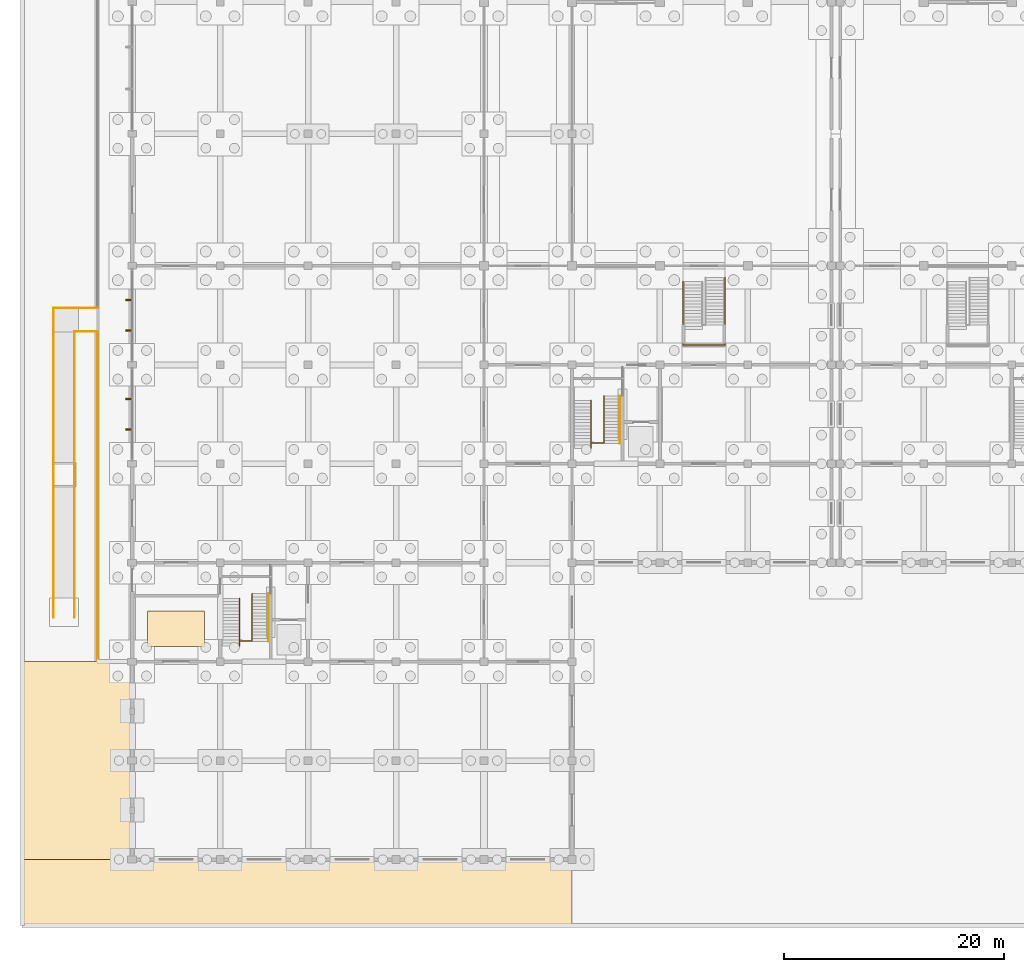
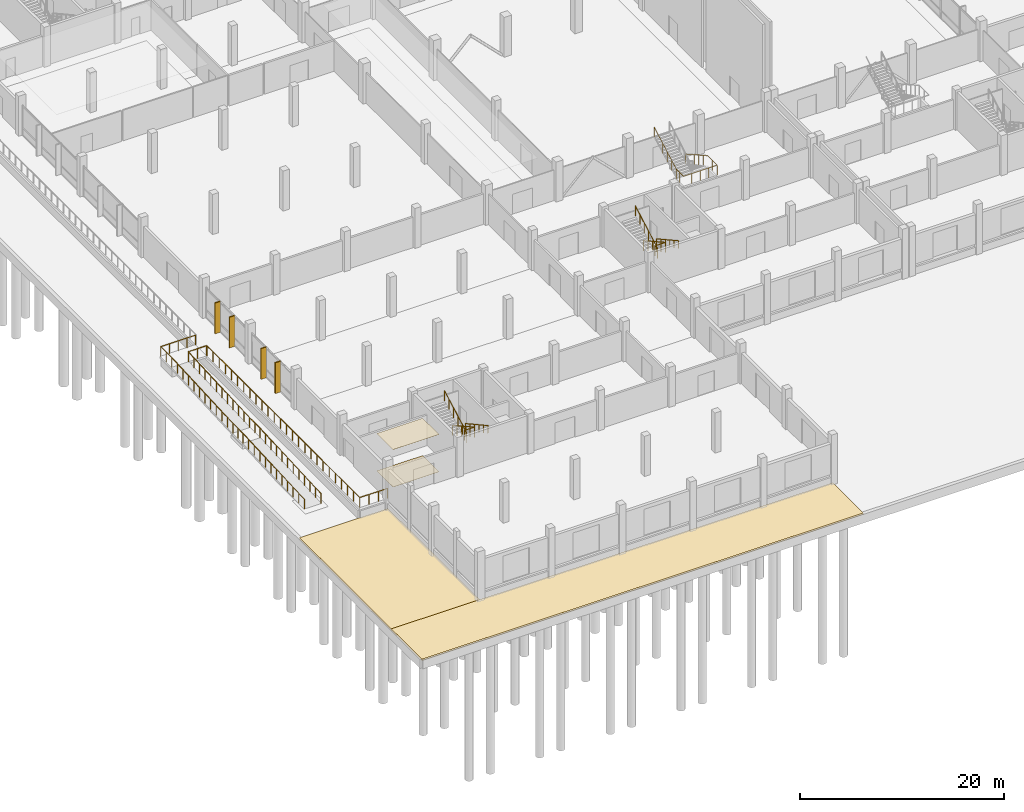
# One storey, part 61 of 72: 9 railings, 4 coverings, 4 shading devices.
"""IFC4 building model written with IfcOpenShell, lengths in metres."""

import ifcopenshell
import ifcopenshell.guid

model = None  # the IFC model being written
_history = None  # IfcOwnerHistory: only IFC2X3 demands one
_inside = {}  # id of a spatial element -> (the spatial element, [elements in it])
_under = {}  # id of a project, library or spatial element -> (it, [spatial elements below it])
_declared = {}  # id of a project -> (the project, [libraries it declares])
_typed = {}  # id of a type object -> (the type object, [elements of that type])
_made_of = {}  # id of a material, layer set ... -> (it, [elements and type objects made of it])


def new_model(schema):
    """Start an empty IFC model of exactly this schema.

    Asked for "IFC4X3", IfcOpenShell would pick the latest addendum, in which some entities
    have other attributes; the version numbers below select the first issue.
    IFC2X3 requires an IfcOwnerHistory on every rooted entity: one is made here for all.
    """
    global model, _history
    if schema == "IFC4X3":
        model = ifcopenshell.file(schema_version=(4, 3, 0, 0))
    else:
        model = ifcopenshell.file(schema=schema)
    _inside.clear()
    _under.clear()
    _declared.clear()
    _typed.clear()
    _made_of.clear()
    _history = None
    if model.schema == "IFC2X3":
        org = make("IfcOrganization", Name="unknown")
        user = make(
            "IfcPersonAndOrganization",
            ThePerson=make("IfcPerson", FamilyName="unknown"),
            TheOrganization=org,
        )
        app = make(
            "IfcApplication",
            ApplicationDeveloper=org,
            Version="unknown",
            ApplicationFullName="unknown",
            ApplicationIdentifier="unknown",
        )
        _history = make(
            "IfcOwnerHistory",
            OwningUser=user,
            OwningApplication=app,
            ChangeAction="ADDED",
            CreationDate=0,
        )
    return model


def make(cls, **values):
    """One entity of the class cls with the attributes given. An attribute that is None is left unset."""
    return model.create_entity(
        cls, **{name: value for name, value in values.items() if value is not None}
    )


def rooted(cls, **values):
    """An entity with a GlobalId (a new one), such as an element, a storey or a relation."""
    return make(cls, GlobalId=ifcopenshell.guid.new(), OwnerHistory=_history, **values)


def si_unit(unit_type, name, prefix=None):
    """IfcSIUnit, for example si_unit("LENGTHUNIT", "METRE", prefix="MILLI")."""
    return make("IfcSIUnit", UnitType=unit_type, Prefix=prefix, Name=name)


def assignment(units):
    """IfcUnitAssignment: the units of a project."""
    return None if units is None else make("IfcUnitAssignment", Units=units)


def point(xyz):
    """IfcCartesianPoint."""
    return None if xyz is None else make("IfcCartesianPoint", Coordinates=xyz)


def direction(xyz):
    """IfcDirection."""
    return None if xyz is None else make("IfcDirection", DirectionRatios=xyz)


def frame(location, z_axis=None, x_axis=None):
    """IfcAxis2Placement3D, a coordinate frame: its origin and axes. An axis left out is left unset."""
    return make(
        "IfcAxis2Placement3D",
        Location=point(location),
        Axis=direction(z_axis),
        RefDirection=direction(x_axis),
    )


def frame_2d(location, x_axis=None):
    """IfcAxis2Placement2D, a coordinate frame in the plane: its origin and x axis."""
    return make(
        "IfcAxis2Placement2D", Location=point(location), RefDirection=direction(x_axis)
    )


def origin():
    """The frame at (0, 0, 0) with its axes left unset."""
    return frame((0.0, 0.0, 0.0))


def origin_2d():
    """The frame at (0, 0) in the plane with its x axis left unset."""
    return frame_2d((0.0, 0.0))


def place(relative_to, where):
    """IfcLocalPlacement: puts the frame where relative to a parent placement (None: the world)."""
    return make(
        "IfcLocalPlacement", PlacementRelTo=relative_to, RelativePlacement=where
    )


def context(
    kind, dimensions, precision=None, world=None, true_north=None, identifier=None
):
    """IfcGeometricRepresentationContext, for example the 3D "Model" context."""
    return make(
        "IfcGeometricRepresentationContext",
        ContextIdentifier=identifier,
        ContextType=kind,
        CoordinateSpaceDimension=dimensions,
        Precision=precision,
        WorldCoordinateSystem=world,
        TrueNorth=true_north,
    )


def subcontext(parent, identifier, kind, view, scale=None):
    """IfcGeometricRepresentationSubContext, for example "Body" below "Model"."""
    return make(
        "IfcGeometricRepresentationSubContext",
        ContextIdentifier=identifier,
        ContextType=kind,
        ParentContext=parent,
        TargetScale=scale,
        TargetView=view,
    )


def project(units=None, contexts=None):
    """IfcProject with its units and contexts."""
    return rooted(
        "IfcProject",
        Name="project",
        RepresentationContexts=contexts,
        UnitsInContext=assignment(units),
    )


def spatial(cls, under=None, at=None, **own):
    """A site, building, storey or space (cls), placed at a placement, below another one or the project."""
    s = rooted(cls, ObjectPlacement=at, **own)
    if under is not None:
        _under.setdefault(under.id(), (under, []))[1].append(s)
    return s


def polyline(points):
    """IfcPolyline through the points."""
    return make("IfcPolyline", Points=[point(p) for p in points])


def profile(cls, at=None, kind="AREA", **sizes):
    """A parametric profile (cls). Its sizes go by their IFC names, for example OverallWidth=200.0."""
    return make(cls, ProfileType=kind, Position=at, **sizes)


def rectangle(**sizes):
    """IfcRectangleProfileDef."""
    return profile("IfcRectangleProfileDef", **sizes)


def circle(**sizes):
    """IfcCircleProfileDef."""
    return profile("IfcCircleProfileDef", **sizes)


def outline(outer, holes=None, kind="AREA"):
    """IfcArbitraryClosedProfileDef: a profile drawn as a closed curve; with holes, ...WithVoids."""
    if holes is None:
        return make("IfcArbitraryClosedProfileDef", ProfileType=kind, OuterCurve=outer)
    return make(
        "IfcArbitraryProfileDefWithVoids",
        ProfileType=kind,
        OuterCurve=outer,
        InnerCurves=holes,
    )


def extrude(swept, where, along, depth):
    """IfcExtrudedAreaSolid: the profile swept, set in the frame where, extruded along a direction by depth."""
    return make(
        "IfcExtrudedAreaSolid",
        SweptArea=swept,
        Position=where,
        ExtrudedDirection=direction(along),
        Depth=depth,
    )


def shape(context_of_items, identifier, shape_type, items):
    """IfcShapeRepresentation: the items that make up one representation, for example the "Body"."""
    return make(
        "IfcShapeRepresentation",
        ContextOfItems=context_of_items,
        RepresentationIdentifier=identifier,
        RepresentationType=shape_type,
        Items=items,
    )


def material(Name=None, Category=None):
    """IfcMaterial."""
    return make("IfcMaterial", Name=Name, Category=Category)


def layer(
    of_material, thickness, ventilated=None, Name=None, Category=None, Priority=None
):
    """IfcMaterialLayer: one layer of a wall or slab, of a material (None: an air gap)."""
    return make(
        "IfcMaterialLayer",
        Material=of_material,
        LayerThickness=thickness,
        IsVentilated=ventilated,
        Name=Name,
        Category=Category,
        Priority=Priority,
    )


def layer_set(layers, Name=None):
    """IfcMaterialLayerSet."""
    return make("IfcMaterialLayerSet", MaterialLayers=layers, LayerSetName=Name)


def made_of(thing, what):
    """Note that an element or type object is made of a material, layer set ...; save() writes the relation."""
    if what is not None:
        _made_of.setdefault(what.id(), (what, []))[1].append(thing)
    return thing


def type_object(cls, material=None, **own):
    """A type object (cls), such as IfcWallType, which elements share."""
    return made_of(rooted(cls, **own), material)


def element(
    cls,
    number,
    at=None,
    inside=None,
    cuts=None,
    type_object=None,
    material=None,
    context=None,
    identifier="Body",
    shape_type=None,
    held_by="IfcProductDefinitionShape",
    body=None,
    shapes=None,
    **own,
):
    """One element of the class cls, such as IfcWall. Its Tag is "e" and its number.

    at: its placement. inside: the storey or other place that contains it. cuts: it is an
    opening in that element (IfcRelVoidsElement). A single representation is given by context,
    identifier, shape_type and body (its items); several are given by shapes. held_by: the class
    of the entity that holds the representations. save() writes the other relations.
    """
    e = rooted(cls, Tag="e%d" % number, ObjectPlacement=at, **own)
    if body is not None:
        shapes = [shape(context, identifier, shape_type, body)]
    if shapes is not None:
        e.Representation = make(held_by, Representations=shapes)
    if inside is not None:
        _inside.setdefault(inside.id(), (inside, []))[1].append(e)
    if cuts is not None:
        rooted(
            "IfcRelVoidsElement", RelatingBuildingElement=cuts, RelatedOpeningElement=e
        )
    if type_object is not None:
        _typed.setdefault(type_object.id(), (type_object, []))[1].append(e)
    return made_of(e, material)


def aggregate(whole, parts):
    """IfcRelAggregates: a whole, such as a stair, and the parts it consists of."""
    return rooted("IfcRelAggregates", RelatingObject=whole, RelatedObjects=parts)


def save(model, path):
    """Write the relations noted so far, then the file.

    IfcRelAggregates (storeys below a building ...), IfcRelContainedInSpatialStructure (elements
    in a storey), IfcRelDefinesByType, IfcRelAssociatesMaterial and IfcRelDeclares: one each for
    every whole, place, type object, material and project.
    """
    for whole, parts in _under.values():
        aggregate(whole, parts)
    for where, things in _inside.values():
        rooted(
            "IfcRelContainedInSpatialStructure",
            RelatedElements=things,
            RelatingStructure=where,
        )
    for kind, things in _typed.values():
        rooted("IfcRelDefinesByType", RelatedObjects=things, RelatingType=kind)
    for what, things in _made_of.values():
        rooted("IfcRelAssociatesMaterial", RelatedObjects=things, RelatingMaterial=what)
    for by, libraries in _declared.values():
        rooted("IfcRelDeclares", RelatingContext=by, RelatedDefinitions=libraries)
    model.write(path)


model = new_model("IFC4")

# Units and contexts
model_context = context("Model", 3, precision=1e-05, world=origin(), true_north=direction((0.0, 1.0)))
body_context = subcontext(model_context, "Body", "Model", "MODEL_VIEW")
ifc_project = project(units=[si_unit("LENGTHUNIT", "METRE"), si_unit("AREAUNIT", "SQUARE_METRE"), si_unit("VOLUMEUNIT", "CUBIC_METRE"), si_unit("PLANEANGLEUNIT", "RADIAN"), si_unit("MASSUNIT", "GRAM", prefix="KILO"), si_unit("THERMODYNAMICTEMPERATUREUNIT", "KELVIN"), si_unit("POWERUNIT", "WATT")], contexts=[model_context])

# Site, building, storey
site_placement = place(None, origin())
site = spatial("IfcSite", under=ifc_project, at=site_placement, CompositionType="ELEMENT")
building_placement = place(site_placement, origin())
building = spatial("IfcBuilding", under=site, at=building_placement, Name="Kronsvod Quay Wholesale Market", CompositionType="ELEMENT")
storey_placement = place(building_placement, origin())
storey = spatial("IfcBuildingStorey", under=building, at=storey_placement, Name="L00", CompositionType="ELEMENT", Elevation=0.0)

# Coverings
ifc_material_1 = material(Name="Moisture-resistant gypsum board ceiling")
ifc_layer_1 = layer(ifc_material_1, 0.02490234375)
ifc_layer_set_1 = layer_set([ifc_layer_1], Name="Moisture-resistant gypsum board ceiling")
covering_type_1 = type_object("IfcCoveringType", Name="Cov_Ceil03", PredefinedType="CEILING", material=ifc_layer_set_1)
covering_1_placement = place(storey_placement, frame((0.0, 0.0, 4.47509765625)))
element("IfcCovering", 1, at=covering_1_placement, inside=storey, type_object=covering_type_1, Name="CLG-SP-L00-V3-01", PredefinedType="CEILING", context=body_context, shape_type="SweptSolid", body=[
    extrude(outline(polyline([(1.39990234375, 19.39990234375), (6.60009765625, 19.39990234375), (6.60009765625, 22.60009765625), (1.39990234375, 22.60009765625), (1.39990234375, 19.39990234375)])), origin(), (0.0, 0.0, 1.0), 0.02490234375),
])
ifc_material_2 = material(Name="Heavy-duty polyurethane resin market screed")
ifc_layer_2 = layer(ifc_material_2, 0.02001953125)
ifc_layer_set_2 = layer_set([ifc_layer_2], Name="Heavy-duty polyurethane resin market screed")
covering_type_2 = type_object("IfcCoveringType", Name="Cov_Floor01", PredefinedType="FLOORING", material=ifc_layer_set_2)
covering_2_placement = place(storey_placement, origin())
element("IfcCovering", 2, at=covering_2_placement, inside=storey, type_object=covering_type_2, Name="FLR-SP-L00-V3-01", PredefinedType="FLOORING", context=body_context, shape_type="SweptSolid", body=[
    extrude(outline(polyline([(1.39990234375, 19.39990234375), (6.60009765625, 19.39990234375), (6.60009765625, 22.60009765625), (1.39990234375, 22.60009765625), (1.39990234375, 19.39990234375)])), origin(), (0.0, 0.0, 1.0), 0.02001953125),
])
ifc_material_3 = material(Name="Natural granite harbour quay paving", Category="masonry")
ifc_layer_3 = layer(ifc_material_3, 0.179931640625)
ifc_layer_set_3 = layer_set([ifc_layer_3], Name="Natural granite harbour quay paving")
covering_type_3 = type_object("IfcCoveringType", Name="Cov_SitePaving160", PredefinedType="USERDEFINED", material=ifc_layer_set_3)
covering_3_placement = place(storey_placement, frame((0.0, 0.0, -1.3798828125)))
element("IfcCovering", 3, at=covering_3_placement, inside=storey, type_object=covering_type_3, Name="PAV-APR-SW", ObjectType="PAVING", PredefinedType="USERDEFINED", context=body_context, shape_type="SweptSolid", body=[
    extrude(outline(polyline([(-10.0, -6.0), (40.0, -6.0), (40.0, 0.0), (-10.0, 0.0), (-10.0, -6.0)])), origin(), (0.0, 0.0, 1.0), 0.179931640625),
])
covering_4_placement = place(storey_placement, frame((0.0, 0.0, -1.3798828125)))
element("IfcCovering", 4, at=covering_4_placement, inside=storey, type_object=covering_type_3, Name="PAV-APR-W0", ObjectType="PAVING", PredefinedType="USERDEFINED", context=body_context, shape_type="SweptSolid", body=[
    extrude(outline(polyline([(-10.0, 0.0), (0.0, 0.0), (0.0, 18.0), (-10.0, 18.0), (-10.0, 0.0)])), origin(), (0.0, 0.0, 1.0), 0.179931640625),
])

# Railings
ifc_material_4 = material(Name="Stainless steel", Category="steel")
railing_type_1 = type_object("IfcRailingType", Name="Railing_Guard1200", PredefinedType="GUARDRAIL", material=ifc_material_4)
railing_1_placement = place(storey_placement, frame((-7.14990234375, 22.0, -1.199951171875)))
element("IfcRailing", 5, at=railing_1_placement, inside=storey, type_object=railing_type_1, Name="RMP-W01-GRD1", PredefinedType="GUARDRAIL", context=body_context, shape_type="SweptSolid", body=[
    extrude(circle(Radius=0.02392578125, at=origin_2d()), frame((0.0, 0.0, 1.17578125), z_axis=(0.0, 0.998752946874, 0.049925455535), x_axis=(-1.0, 0.0, 0.0)), (0.0, 0.0, 1.0), 12.014892578125),
    extrude(circle(Radius=0.02392578125, at=origin_2d()), frame((0.0, 12.0, 1.77587890625), z_axis=(0.0, 1.0, 0.0), x_axis=(-1.0, 0.0, 0.0)), (0.0, 0.0, 1.0), 2.0),
    extrude(circle(Radius=0.02392578125, at=origin_2d()), frame((0.0, 14.0, 1.77587890625), z_axis=(0.0, 0.998751933465, 0.049945724537), x_axis=(-1.0, 0.0, 0.0)), (0.0, 0.0, 1.0), 12.014892578125),
    extrude(circle(Radius=0.02392578125, at=origin_2d()), frame((0.0, 26.0, 2.3759765625), z_axis=(0.0, 1.0, 0.0), x_axis=(-1.0, 0.0, 0.0)), (0.0, 0.0, 1.0), 2.14990234375),
    extrude(circle(Radius=0.02392578125, at=origin_2d()), frame((0.0, 28.14990234375, 2.3759765625), z_axis=(1.0, 0.0, 0.0), x_axis=(0.0, 1.0, 0.0)), (0.0, 0.0, 1.0), 3.949951171875),
    extrude(circle(Radius=0.02099609375, at=origin_2d()), origin(), (0.0, 0.0, 1.0), 1.15185546875),
    extrude(circle(Radius=0.02099609375, at=origin_2d()), frame((0.0, 1.0908203125, 0.054443359375)), (0.0, 0.0, 1.0), 1.15185546875),
    extrude(circle(Radius=0.02099609375, at=origin_2d()), frame((0.0, 2.181884765625, 0.109130859375)), (0.0, 0.0, 1.0), 1.15185546875),
    extrude(circle(Radius=0.02099609375, at=origin_2d()), frame((0.0, 3.272705078125, 0.16357421875)), (0.0, 0.0, 1.0), 1.15185546875),
    extrude(circle(Radius=0.02099609375, at=origin_2d()), frame((0.0, 4.363525390625, 0.218017578125)), (0.0, 0.0, 1.0), 1.15185546875),
    extrude(circle(Radius=0.02099609375, at=origin_2d()), frame((0.0, 5.45458984375, 0.272705078125)), (0.0, 0.0, 1.0), 1.15185546875),
    extrude(circle(Radius=0.02099609375, at=origin_2d()), frame((0.0, 6.54541015625, 0.3271484375)), (0.0, 0.0, 1.0), 1.15185546875),
    extrude(circle(Radius=0.02099609375, at=origin_2d()), frame((0.0, 7.636474609375, 0.3818359375)), (0.0, 0.0, 1.0), 1.15185546875),
    extrude(circle(Radius=0.02099609375, at=origin_2d()), frame((0.0, 8.727294921875, 0.436279296875)), (0.0, 0.0, 1.0), 1.15185546875),
    extrude(circle(Radius=0.02099609375, at=origin_2d()), frame((0.0, 9.818115234375, 0.49072265625)), (0.0, 0.0, 1.0), 1.15185546875),
    extrude(circle(Radius=0.02099609375, at=origin_2d()), frame((0.0, 10.9091796875, 0.54541015625)), (0.0, 0.0, 1.0), 1.15185546875),
    extrude(circle(Radius=0.02099609375, at=origin_2d()), frame((0.0, 12.0, 0.599853515625)), (0.0, 0.0, 1.0), 1.15185546875),
    extrude(circle(Radius=0.02099609375, at=origin_2d()), frame((0.0, 13.0, 0.599853515625)), (0.0, 0.0, 1.0), 1.15185546875),
    extrude(circle(Radius=0.02099609375, at=origin_2d()), frame((0.0, 14.0, 0.599853515625)), (0.0, 0.0, 1.0), 1.15185546875),
    extrude(circle(Radius=0.02099609375, at=origin_2d()), frame((0.0, 15.0908203125, 0.654296875)), (0.0, 0.0, 1.0), 1.15185546875),
    extrude(circle(Radius=0.02099609375, at=origin_2d()), frame((0.0, 16.181884765625, 0.708984375)), (0.0, 0.0, 1.0), 1.15185546875),
    extrude(circle(Radius=0.02099609375, at=origin_2d()), frame((0.0, 17.272705078125, 0.763427734375)), (0.0, 0.0, 1.0), 1.15185546875),
    extrude(circle(Radius=0.02099609375, at=origin_2d()), frame((0.0, 18.363525390625, 0.818115234375)), (0.0, 0.0, 1.0), 1.15185546875),
    extrude(circle(Radius=0.02099609375, at=origin_2d()), frame((0.0, 19.45458984375, 0.87255859375)), (0.0, 0.0, 1.0), 1.15185546875),
    extrude(circle(Radius=0.02099609375, at=origin_2d()), frame((0.0, 20.54541015625, 0.92724609375)), (0.0, 0.0, 1.0), 1.15185546875),
    extrude(circle(Radius=0.02099609375, at=origin_2d()), frame((0.0, 21.636474609375, 0.981689453125)), (0.0, 0.0, 1.0), 1.15185546875),
    extrude(circle(Radius=0.02099609375, at=origin_2d()), frame((0.0, 22.727294921875, 1.036376953125)), (0.0, 0.0, 1.0), 1.15185546875),
    extrude(circle(Radius=0.02099609375, at=origin_2d()), frame((0.0, 23.818115234375, 1.0908203125)), (0.0, 0.0, 1.0), 1.15185546875),
    extrude(circle(Radius=0.02099609375, at=origin_2d()), frame((0.0, 24.9091796875, 1.1455078125)), (0.0, 0.0, 1.0), 1.15185546875),
    extrude(circle(Radius=0.02099609375, at=origin_2d()), frame((0.0, 26.0, 1.199951171875)), (0.0, 0.0, 1.0), 1.15185546875),
    extrude(circle(Radius=0.02099609375, at=origin_2d()), frame((0.0, 27.074951171875, 1.199951171875)), (0.0, 0.0, 1.0), 1.15185546875),
    extrude(circle(Radius=0.02099609375, at=origin_2d()), frame((0.0, 28.14990234375, 1.199951171875)), (0.0, 0.0, 1.0), 1.15185546875),
    extrude(circle(Radius=0.02099609375, at=origin_2d()), frame((0.987548828125, 28.14990234375, 1.199951171875)), (0.0, 0.0, 1.0), 1.15185546875),
    extrude(circle(Radius=0.02099609375, at=origin_2d()), frame((1.97509765625, 28.14990234375, 1.199951171875)), (0.0, 0.0, 1.0), 1.15185546875),
    extrude(circle(Radius=0.02099609375, at=origin_2d()), frame((2.96240234375, 28.14990234375, 1.199951171875)), (0.0, 0.0, 1.0), 1.15185546875),
    extrude(circle(Radius=0.02099609375, at=origin_2d()), frame((3.949951171875, 28.14990234375, 1.199951171875)), (0.0, 0.0, 1.0), 1.15185546875),
])
railing_2_placement = place(storey_placement, frame((-5.25, 22.0, -1.199951171875)))
element("IfcRailing", 6, at=railing_2_placement, inside=storey, type_object=railing_type_1, Name="RMP-W01-GRD2", PredefinedType="GUARDRAIL", context=body_context, shape_type="SweptSolid", body=[
    extrude(circle(Radius=0.02392578125, at=origin_2d()), frame((0.0, 0.0, 1.17578125), z_axis=(0.0, 0.998752946874, 0.049925455535), x_axis=(-1.0, 0.0, 0.0)), (0.0, 0.0, 1.0), 12.014892578125),
    extrude(circle(Radius=0.02392578125, at=origin_2d()), frame((0.0, 12.0, 1.77587890625), z_axis=(0.0, 1.0, 0.0), x_axis=(-1.0, 0.0, 0.0)), (0.0, 0.0, 1.0), 2.0),
    extrude(circle(Radius=0.02392578125, at=origin_2d()), frame((0.0, 14.0, 1.77587890625), z_axis=(0.0, 0.998751933465, 0.049945724537), x_axis=(-1.0, 0.0, 0.0)), (0.0, 0.0, 1.0), 12.014892578125),
    extrude(circle(Radius=0.02099609375, at=origin_2d()), origin(), (0.0, 0.0, 1.0), 1.15185546875),
    extrude(circle(Radius=0.02099609375, at=origin_2d()), frame((0.0, 1.0908203125, 0.054443359375)), (0.0, 0.0, 1.0), 1.15185546875),
    extrude(circle(Radius=0.02099609375, at=origin_2d()), frame((0.0, 2.181884765625, 0.109130859375)), (0.0, 0.0, 1.0), 1.15185546875),
    extrude(circle(Radius=0.02099609375, at=origin_2d()), frame((0.0, 3.272705078125, 0.16357421875)), (0.0, 0.0, 1.0), 1.15185546875),
    extrude(circle(Radius=0.02099609375, at=origin_2d()), frame((0.0, 4.363525390625, 0.218017578125)), (0.0, 0.0, 1.0), 1.15185546875),
    extrude(circle(Radius=0.02099609375, at=origin_2d()), frame((0.0, 5.45458984375, 0.272705078125)), (0.0, 0.0, 1.0), 1.15185546875),
    extrude(circle(Radius=0.02099609375, at=origin_2d()), frame((0.0, 6.54541015625, 0.3271484375)), (0.0, 0.0, 1.0), 1.15185546875),
    extrude(circle(Radius=0.02099609375, at=origin_2d()), frame((0.0, 7.636474609375, 0.3818359375)), (0.0, 0.0, 1.0), 1.15185546875),
    extrude(circle(Radius=0.02099609375, at=origin_2d()), frame((0.0, 8.727294921875, 0.436279296875)), (0.0, 0.0, 1.0), 1.15185546875),
    extrude(circle(Radius=0.02099609375, at=origin_2d()), frame((0.0, 9.818115234375, 0.49072265625)), (0.0, 0.0, 1.0), 1.15185546875),
    extrude(circle(Radius=0.02099609375, at=origin_2d()), frame((0.0, 10.9091796875, 0.54541015625)), (0.0, 0.0, 1.0), 1.15185546875),
    extrude(circle(Radius=0.02099609375, at=origin_2d()), frame((0.0, 12.0, 0.599853515625)), (0.0, 0.0, 1.0), 1.15185546875),
    extrude(circle(Radius=0.02099609375, at=origin_2d()), frame((0.0, 13.0, 0.599853515625)), (0.0, 0.0, 1.0), 1.15185546875),
    extrude(circle(Radius=0.02099609375, at=origin_2d()), frame((0.0, 14.0, 0.599853515625)), (0.0, 0.0, 1.0), 1.15185546875),
    extrude(circle(Radius=0.02099609375, at=origin_2d()), frame((0.0, 15.0908203125, 0.654296875)), (0.0, 0.0, 1.0), 1.15185546875),
    extrude(circle(Radius=0.02099609375, at=origin_2d()), frame((0.0, 16.181884765625, 0.708984375)), (0.0, 0.0, 1.0), 1.15185546875),
    extrude(circle(Radius=0.02099609375, at=origin_2d()), frame((0.0, 17.272705078125, 0.763427734375)), (0.0, 0.0, 1.0), 1.15185546875),
    extrude(circle(Radius=0.02099609375, at=origin_2d()), frame((0.0, 18.363525390625, 0.818115234375)), (0.0, 0.0, 1.0), 1.15185546875),
    extrude(circle(Radius=0.02099609375, at=origin_2d()), frame((0.0, 19.45458984375, 0.87255859375)), (0.0, 0.0, 1.0), 1.15185546875),
    extrude(circle(Radius=0.02099609375, at=origin_2d()), frame((0.0, 20.54541015625, 0.92724609375)), (0.0, 0.0, 1.0), 1.15185546875),
    extrude(circle(Radius=0.02099609375, at=origin_2d()), frame((0.0, 21.636474609375, 0.981689453125)), (0.0, 0.0, 1.0), 1.15185546875),
    extrude(circle(Radius=0.02099609375, at=origin_2d()), frame((0.0, 22.727294921875, 1.036376953125)), (0.0, 0.0, 1.0), 1.15185546875),
    extrude(circle(Radius=0.02099609375, at=origin_2d()), frame((0.0, 23.818115234375, 1.0908203125)), (0.0, 0.0, 1.0), 1.15185546875),
    extrude(circle(Radius=0.02099609375, at=origin_2d()), frame((0.0, 24.9091796875, 1.1455078125)), (0.0, 0.0, 1.0), 1.15185546875),
    extrude(circle(Radius=0.02099609375, at=origin_2d()), frame((0.0, 26.0, 1.199951171875)), (0.0, 0.0, 1.0), 1.15185546875),
])
railing_3_placement = place(storey_placement, frame((-3.199951171875, 48.050048828125, 0.0)))
element("IfcRailing", 7, at=railing_3_placement, inside=storey, type_object=railing_type_1, Name="GRD-RMP-W01S", PredefinedType="GUARDRAIL", context=body_context, shape_type="SweptSolid", body=[
    extrude(circle(Radius=0.02392578125, at=origin_2d()), frame((0.0, 0.0, 1.17578125), z_axis=(-1.0, 0.0, 0.0), x_axis=(0.0, -1.0, 0.0)), (0.0, 0.0, 1.0), 2.050048828125),
    extrude(circle(Radius=0.02099609375, at=origin_2d()), origin(), (0.0, 0.0, 1.0), 1.15185546875),
    extrude(circle(Radius=0.02099609375, at=origin_2d()), frame((-1.02490234375, 0.0, 0.0)), (0.0, 0.0, 1.0), 1.15185546875),
    extrude(circle(Radius=0.02099609375, at=origin_2d()), frame((-2.050048828125, 0.0, 0.0)), (0.0, 0.0, 1.0), 1.15185546875),
])
railing_4_placement = place(storey_placement, frame((0.0, 18.050048828125, 0.0)))
element("IfcRailing", 8, at=railing_4_placement, inside=storey, type_object=railing_type_1, Name="GRD-L00-W1", PredefinedType="GUARDRAIL", context=body_context, shape_type="SweptSolid", body=[
    extrude(circle(Radius=0.02392578125, at=origin_2d()), frame((0.0, 0.0, 1.17578125), z_axis=(-1.0, 0.0, 0.0), x_axis=(0.0, -1.0, 0.0)), (0.0, 0.0, 1.0), 3.14990234375),
    extrude(circle(Radius=0.02392578125, at=origin_2d()), frame((-3.14990234375, 0.0, 1.17578125), z_axis=(0.0, 1.0, 0.0), x_axis=(-1.0, 0.0, 0.0)), (0.0, 0.0, 1.0), 29.949951171875),
    extrude(circle(Radius=0.02099609375, at=origin_2d()), origin(), (0.0, 0.0, 1.0), 1.15185546875),
    extrude(circle(Radius=0.02099609375, at=origin_2d()), frame((-1.050048828125, 0.0, 0.0)), (0.0, 0.0, 1.0), 1.15185546875),
    extrude(circle(Radius=0.02099609375, at=origin_2d()), frame((-2.099853515625, 0.0, 0.0)), (0.0, 0.0, 1.0), 1.15185546875),
    extrude(circle(Radius=0.02099609375, at=origin_2d()), frame((-3.14990234375, 0.0, 0.0)), (0.0, 0.0, 1.0), 1.15185546875),
    extrude(circle(Radius=0.02099609375, at=origin_2d()), frame((-3.14990234375, 1.197998046875, 0.0)), (0.0, 0.0, 1.0), 1.15185546875),
    extrude(circle(Radius=0.02099609375, at=origin_2d()), frame((-3.14990234375, 2.39599609375, 0.0)), (0.0, 0.0, 1.0), 1.15185546875),
    extrude(circle(Radius=0.02099609375, at=origin_2d()), frame((-3.14990234375, 3.593994140625, 0.0)), (0.0, 0.0, 1.0), 1.15185546875),
    extrude(circle(Radius=0.02099609375, at=origin_2d()), frame((-3.14990234375, 4.7919921875, 0.0)), (0.0, 0.0, 1.0), 1.15185546875),
    extrude(circle(Radius=0.02099609375, at=origin_2d()), frame((-3.14990234375, 5.989990234375, 0.0)), (0.0, 0.0, 1.0), 1.15185546875),
    extrude(circle(Radius=0.02099609375, at=origin_2d()), frame((-3.14990234375, 7.18798828125, 0.0)), (0.0, 0.0, 1.0), 1.15185546875),
    extrude(circle(Radius=0.02099609375, at=origin_2d()), frame((-3.14990234375, 8.385986328125, 0.0)), (0.0, 0.0, 1.0), 1.15185546875),
    extrude(circle(Radius=0.02099609375, at=origin_2d()), frame((-3.14990234375, 9.583984375, 0.0)), (0.0, 0.0, 1.0), 1.15185546875),
    extrude(circle(Radius=0.02099609375, at=origin_2d()), frame((-3.14990234375, 10.781982421875, 0.0)), (0.0, 0.0, 1.0), 1.15185546875),
    extrude(circle(Radius=0.02099609375, at=origin_2d()), frame((-3.14990234375, 11.97998046875, 0.0)), (0.0, 0.0, 1.0), 1.15185546875),
    extrude(circle(Radius=0.02099609375, at=origin_2d()), frame((-3.14990234375, 13.177978515625, 0.0)), (0.0, 0.0, 1.0), 1.15185546875),
    extrude(circle(Radius=0.02099609375, at=origin_2d()), frame((-3.14990234375, 14.3759765625, 0.0)), (0.0, 0.0, 1.0), 1.15185546875),
    extrude(circle(Radius=0.02099609375, at=origin_2d()), frame((-3.14990234375, 15.573974609375, 0.0)), (0.0, 0.0, 1.0), 1.15185546875),
    extrude(circle(Radius=0.02099609375, at=origin_2d()), frame((-3.14990234375, 16.77197265625, 0.0)), (0.0, 0.0, 1.0), 1.15185546875),
    extrude(circle(Radius=0.02099609375, at=origin_2d()), frame((-3.14990234375, 17.969970703125, 0.0)), (0.0, 0.0, 1.0), 1.15185546875),
    extrude(circle(Radius=0.02099609375, at=origin_2d()), frame((-3.14990234375, 19.16796875, 0.0)), (0.0, 0.0, 1.0), 1.15185546875),
    extrude(circle(Radius=0.02099609375, at=origin_2d()), frame((-3.14990234375, 20.365966796875, 0.0)), (0.0, 0.0, 1.0), 1.15185546875),
    extrude(circle(Radius=0.02099609375, at=origin_2d()), frame((-3.14990234375, 21.56396484375, 0.0)), (0.0, 0.0, 1.0), 1.15185546875),
    extrude(circle(Radius=0.02099609375, at=origin_2d()), frame((-3.14990234375, 22.761962890625, 0.0)), (0.0, 0.0, 1.0), 1.15185546875),
    extrude(circle(Radius=0.02099609375, at=origin_2d()), frame((-3.14990234375, 23.9599609375, 0.0)), (0.0, 0.0, 1.0), 1.15185546875),
    extrude(circle(Radius=0.02099609375, at=origin_2d()), frame((-3.14990234375, 25.157958984375, 0.0)), (0.0, 0.0, 1.0), 1.15185546875),
    extrude(circle(Radius=0.02099609375, at=origin_2d()), frame((-3.14990234375, 26.35595703125, 0.0)), (0.0, 0.0, 1.0), 1.15185546875),
    extrude(circle(Radius=0.02099609375, at=origin_2d()), frame((-3.14990234375, 27.553955078125, 0.0)), (0.0, 0.0, 1.0), 1.15185546875),
    extrude(circle(Radius=0.02099609375, at=origin_2d()), frame((-3.14990234375, 28.751953125, 0.0)), (0.0, 0.0, 1.0), 1.15185546875),
    extrude(circle(Radius=0.02099609375, at=origin_2d()), frame((-3.14990234375, 29.949951171875, 0.0)), (0.0, 0.0, 1.0), 1.15185546875),
])
railing_5_placement = place(storey_placement, frame((10.909912109375, 24.179931640625, 0.0)))
element("IfcRailing", 9, at=railing_5_placement, inside=storey, type_object=railing_type_1, Name="ST01-L00-SLOT-GRD", PredefinedType="GUARDRAIL", context=body_context, shape_type="SweptSolid", body=[
    extrude(circle(Radius=0.02392578125, at=origin_2d()), frame((0.0, 0.0, 1.17578125), z_axis=(0.0, -0.873208496407, 0.487346818809), x_axis=(1.0, 0.0, 0.0)), (0.0, 0.0, 1.0), 4.92431640625),
    extrude(circle(Radius=0.02392578125, at=origin_2d()), frame((0.0, -4.300048828125, 3.57568359375), z_axis=(-1.0, 0.0, 0.0), x_axis=(0.0, -1.0, 0.0)), (0.0, 0.0, 1.0), 1.159912109375),
    extrude(circle(Radius=0.02392578125, at=origin_2d()), frame((-1.159912109375, -4.300048828125, 3.57568359375), z_axis=(0.0, -1.0, 0.0), x_axis=(1.0, 0.0, 0.0)), (0.0, 0.0, 1.0), 0.469970703125),
    extrude(circle(Radius=0.02392578125, at=origin_2d()), frame((-1.159912109375, -4.77001953125, 3.57568359375), z_axis=(0.0, 0.875569800069, 0.483091632309), x_axis=(-1.0, 0.0, 0.0)), (0.0, 0.0, 1.0), 4.96826171875),
    extrude(circle(Radius=0.02099609375, at=origin_2d()), origin(), (0.0, 0.0, 1.0), 1.15185546875),
    extrude(circle(Radius=0.02099609375, at=origin_2d()), frame((0.0, -0.860107421875, 0.47998046875)), (0.0, 0.0, 1.0), 1.15185546875),
    extrude(circle(Radius=0.02099609375, at=origin_2d()), frame((0.0, -1.719970703125, 0.9599609375)), (0.0, 0.0, 1.0), 1.15185546875),
    extrude(circle(Radius=0.02099609375, at=origin_2d()), frame((0.0, -2.580078125, 1.43994140625)), (0.0, 0.0, 1.0), 1.15185546875),
    extrude(circle(Radius=0.02099609375, at=origin_2d()), frame((0.0, -3.43994140625, 1.919921875)), (0.0, 0.0, 1.0), 1.15185546875),
    extrude(circle(Radius=0.02099609375, at=origin_2d()), frame((0.0, -4.300048828125, 2.39990234375)), (0.0, 0.0, 1.0), 1.15185546875),
    extrude(circle(Radius=0.02099609375, at=origin_2d()), frame((-1.159912109375, -4.300048828125, 2.39990234375)), (0.0, 0.0, 1.0), 1.15185546875),
    extrude(circle(Radius=0.02099609375, at=origin_2d()), frame((-1.159912109375, -4.77001953125, 2.39990234375)), (0.0, 0.0, 1.0), 1.15185546875),
    extrude(circle(Radius=0.02099609375, at=origin_2d()), frame((-1.159912109375, -3.89990234375, 2.8798828125)), (0.0, 0.0, 1.0), 1.15185546875),
    extrude(circle(Radius=0.02099609375, at=origin_2d()), frame((-1.159912109375, -3.030029296875, 3.35986328125)), (0.0, 0.0, 1.0), 1.15185546875),
    extrude(circle(Radius=0.02099609375, at=origin_2d()), frame((-1.159912109375, -2.159912109375, 3.840087890625)), (0.0, 0.0, 1.0), 1.15185546875),
    extrude(circle(Radius=0.02099609375, at=origin_2d()), frame((-1.159912109375, -1.2900390625, 4.320068359375)), (0.0, 0.0, 1.0), 1.15185546875),
    extrude(circle(Radius=0.02099609375, at=origin_2d()), frame((-1.159912109375, -0.419921875, 4.800048828125)), (0.0, 0.0, 1.0), 1.15185546875),
])
railing_6_placement = place(storey_placement, frame((42.909912109375, 42.179931640625, 0.0)))
element("IfcRailing", 10, at=railing_6_placement, inside=storey, type_object=railing_type_1, Name="ST03-L00-SLOT-GRD", PredefinedType="GUARDRAIL", context=body_context, shape_type="SweptSolid", body=[
    extrude(circle(Radius=0.02392578125, at=origin_2d()), frame((0.0, 0.0, 1.17578125), z_axis=(0.0, -0.873208496407, 0.487346818809), x_axis=(1.0, 0.0, 0.0)), (0.0, 0.0, 1.0), 4.92431640625),
    extrude(circle(Radius=0.02392578125, at=origin_2d()), frame((0.0, -4.300048828125, 3.57568359375), z_axis=(-1.0, 0.0, 0.0), x_axis=(0.0, -1.0, 0.0)), (0.0, 0.0, 1.0), 1.159912109375),
    extrude(circle(Radius=0.02392578125, at=origin_2d()), frame((-1.159912109375, -4.300048828125, 3.57568359375), z_axis=(0.0, -1.0, 0.0), x_axis=(1.0, 0.0, 0.0)), (0.0, 0.0, 1.0), 0.469970703125),
    extrude(circle(Radius=0.02392578125, at=origin_2d()), frame((-1.159912109375, -4.77001953125, 3.57568359375), z_axis=(0.0, 0.875569800069, 0.483091632309), x_axis=(-1.0, 0.0, 0.0)), (0.0, 0.0, 1.0), 4.96826171875),
    extrude(circle(Radius=0.02099609375, at=origin_2d()), origin(), (0.0, 0.0, 1.0), 1.15185546875),
    extrude(circle(Radius=0.02099609375, at=origin_2d()), frame((0.0, -0.860107421875, 0.47998046875)), (0.0, 0.0, 1.0), 1.15185546875),
    extrude(circle(Radius=0.02099609375, at=origin_2d()), frame((0.0, -1.719970703125, 0.9599609375)), (0.0, 0.0, 1.0), 1.15185546875),
    extrude(circle(Radius=0.02099609375, at=origin_2d()), frame((0.0, -2.580078125, 1.43994140625)), (0.0, 0.0, 1.0), 1.15185546875),
    extrude(circle(Radius=0.02099609375, at=origin_2d()), frame((0.0, -3.43994140625, 1.919921875)), (0.0, 0.0, 1.0), 1.15185546875),
    extrude(circle(Radius=0.02099609375, at=origin_2d()), frame((0.0, -4.300048828125, 2.39990234375)), (0.0, 0.0, 1.0), 1.15185546875),
    extrude(circle(Radius=0.02099609375, at=origin_2d()), frame((-1.159912109375, -4.300048828125, 2.39990234375)), (0.0, 0.0, 1.0), 1.15185546875),
    extrude(circle(Radius=0.02099609375, at=origin_2d()), frame((-1.159912109375, -4.77001953125, 2.39990234375)), (0.0, 0.0, 1.0), 1.15185546875),
    extrude(circle(Radius=0.02099609375, at=origin_2d()), frame((-1.159912109375, -3.89990234375, 2.8798828125)), (0.0, 0.0, 1.0), 1.15185546875),
    extrude(circle(Radius=0.02099609375, at=origin_2d()), frame((-1.159912109375, -3.030029296875, 3.35986328125)), (0.0, 0.0, 1.0), 1.15185546875),
    extrude(circle(Radius=0.02099609375, at=origin_2d()), frame((-1.159912109375, -2.159912109375, 3.840087890625)), (0.0, 0.0, 1.0), 1.15185546875),
    extrude(circle(Radius=0.02099609375, at=origin_2d()), frame((-1.159912109375, -1.2900390625, 4.320068359375)), (0.0, 0.0, 1.0), 1.15185546875),
    extrude(circle(Radius=0.02099609375, at=origin_2d()), frame((-1.159912109375, -0.419921875, 4.800048828125)), (0.0, 0.0, 1.0), 1.15185546875),
])
railing_7_placement = place(storey_placement, frame((53.89990234375, 52.949951171875, 0.0)))
element("IfcRailing", 11, at=railing_7_placement, inside=storey, type_object=railing_type_1, Name="ST-GAL-W1-OUT-GRD", PredefinedType="GUARDRAIL", context=body_context, shape_type="SweptSolid", body=[
    extrude(circle(Radius=0.02392578125, at=origin_2d()), frame((0.0, 0.0, 1.17578125), z_axis=(0.0, -0.872724433274, 0.488213133342), x_axis=(1.0, 0.0, 0.0)), (0.0, 0.0, 1.0), 4.915771484375),
    extrude(circle(Radius=0.02392578125, at=origin_2d()), frame((0.0, -4.2900390625, 3.57568359375), z_axis=(0.0, -1.0, 0.0), x_axis=(1.0, 0.0, 0.0)), (0.0, 0.0, 1.0), 1.8798828125),
    extrude(circle(Radius=0.02392578125, at=origin_2d()), frame((0.0, -6.169921875, 3.57568359375), z_axis=(-1.0, 0.0, 0.0), x_axis=(0.0, -1.0, 0.0)), (0.0, 0.0, 1.0), 3.7998046875),
    extrude(circle(Radius=0.02392578125, at=origin_2d()), frame((-3.7998046875, -6.169921875, 3.57568359375), z_axis=(0.0, 1.0, 0.0), x_axis=(-1.0, 0.0, 0.0)), (0.0, 0.0, 1.0), 1.429931640625),
    extrude(circle(Radius=0.02392578125, at=origin_2d()), frame((-3.7998046875, -4.739990234375, 3.57568359375), z_axis=(0.0, 0.875569800069, 0.483091632309), x_axis=(-1.0, 0.0, 0.0)), (0.0, 0.0, 1.0), 4.96826171875),
    extrude(circle(Radius=0.02099609375, at=origin_2d()), origin(), (0.0, 0.0, 1.0), 1.15185546875),
    extrude(circle(Radius=0.02099609375, at=origin_2d()), frame((0.0, -0.85791015625, 0.47998046875)), (0.0, 0.0, 1.0), 1.15185546875),
    extrude(circle(Radius=0.02099609375, at=origin_2d()), frame((0.0, -1.716064453125, 0.9599609375)), (0.0, 0.0, 1.0), 1.15185546875),
    extrude(circle(Radius=0.02099609375, at=origin_2d()), frame((0.0, -2.573974609375, 1.43994140625)), (0.0, 0.0, 1.0), 1.15185546875),
    extrude(circle(Radius=0.02099609375, at=origin_2d()), frame((0.0, -3.43212890625, 1.919921875)), (0.0, 0.0, 1.0), 1.15185546875),
    extrude(circle(Radius=0.02099609375, at=origin_2d()), frame((0.0, -4.2900390625, 2.39990234375)), (0.0, 0.0, 1.0), 1.15185546875),
    extrude(circle(Radius=0.02099609375, at=origin_2d()), frame((0.0, -5.22998046875, 2.39990234375)), (0.0, 0.0, 1.0), 1.15185546875),
    extrude(circle(Radius=0.02099609375, at=origin_2d()), frame((0.0, -6.169921875, 2.39990234375)), (0.0, 0.0, 1.0), 1.15185546875),
    extrude(circle(Radius=0.02099609375, at=origin_2d()), frame((-0.949951171875, -6.169921875, 2.39990234375)), (0.0, 0.0, 1.0), 1.15185546875),
    extrude(circle(Radius=0.02099609375, at=origin_2d()), frame((-1.89990234375, -6.169921875, 2.39990234375)), (0.0, 0.0, 1.0), 1.15185546875),
    extrude(circle(Radius=0.02099609375, at=origin_2d()), frame((-2.849853515625, -6.169921875, 2.39990234375)), (0.0, 0.0, 1.0), 1.15185546875),
    extrude(circle(Radius=0.02099609375, at=origin_2d()), frame((-3.7998046875, -6.169921875, 2.39990234375)), (0.0, 0.0, 1.0), 1.15185546875),
    extrude(circle(Radius=0.02099609375, at=origin_2d()), frame((-3.7998046875, -5.455078125, 2.39990234375)), (0.0, 0.0, 1.0), 1.15185546875),
    extrude(circle(Radius=0.02099609375, at=origin_2d()), frame((-3.7998046875, -4.739990234375, 2.39990234375)), (0.0, 0.0, 1.0), 1.15185546875),
    extrude(circle(Radius=0.02099609375, at=origin_2d()), frame((-3.7998046875, -3.869873046875, 2.8798828125)), (0.0, 0.0, 1.0), 1.15185546875),
    extrude(circle(Radius=0.02099609375, at=origin_2d()), frame((-3.7998046875, -3.0, 3.35986328125)), (0.0, 0.0, 1.0), 1.15185546875),
    extrude(circle(Radius=0.02099609375, at=origin_2d()), frame((-3.7998046875, -2.1298828125, 3.840087890625)), (0.0, 0.0, 1.0), 1.15185546875),
    extrude(circle(Radius=0.02099609375, at=origin_2d()), frame((-3.7998046875, -1.260009765625, 4.320068359375)), (0.0, 0.0, 1.0), 1.15185546875),
    extrude(circle(Radius=0.02099609375, at=origin_2d()), frame((-3.7998046875, -0.389892578125, 4.800048828125)), (0.0, 0.0, 1.0), 1.15185546875),
])
ifc_material_5 = material(Name="Stainless steel", Category="steel")
railing_type_2 = type_object("IfcRailingType", Name="Railing_Handrail900", PredefinedType="HANDRAIL", material=ifc_material_5)
for number, where, name in (
    (12, (12.3798828125, 24.179931640625, 0.0), "ST01-L00-HDR"),
    (13, (44.3798828125, 42.179931640625, 0.0), "ST03-L00-HDR"),
):
    element("IfcRailing", number, at=place(storey_placement, frame(where)), inside=storey, type_object=railing_type_2, Name=name, PredefinedType="HANDRAIL", context=body_context, shape_type="SweptSolid", body=[
        extrude(circle(Radius=0.02392578125, at=origin_2d()), frame((0.0, 0.0, 0.8759765625), z_axis=(0.0, -0.875579117544, 0.483074744652), x_axis=(1.0, 0.0, 0.0)), (0.0, 0.0, 1.0), 4.968017578125),
        extrude(circle(Radius=0.02099609375, at=origin_2d()), origin(), (0.0, 0.0, 1.0), 0.851806640625),
        extrude(circle(Radius=0.02099609375, at=origin_2d()), frame((0.0, -0.869873046875, 0.47998046875)), (0.0, 0.0, 1.0), 0.851806640625),
        extrude(circle(Radius=0.02099609375, at=origin_2d()), frame((0.0, -1.739990234375, 0.9599609375)), (0.0, 0.0, 1.0), 0.851806640625),
        extrude(circle(Radius=0.02099609375, at=origin_2d()), frame((0.0, -2.60986328125, 1.43994140625)), (0.0, 0.0, 1.0), 0.851806640625),
        extrude(circle(Radius=0.02099609375, at=origin_2d()), frame((0.0, -3.47998046875, 1.919921875)), (0.0, 0.0, 1.0), 0.851806640625),
        extrude(circle(Radius=0.02099609375, at=origin_2d()), frame((0.0, -4.349853515625, 2.39990234375)), (0.0, 0.0, 1.0), 0.851806640625),
    ])

# Shading devices
ifc_material_6 = material(Name="Anodised aluminium", Category="aluminium")
shading_device_type = type_object("IfcShadingDeviceType", Name="Shade_SolarFin", PredefinedType="AWNING", material=ifc_material_6)
for number, where, z_axis, x_axis, name in (
    (14, (-0.280029296875, 39.101806640625, -0.02001953125), (0.0, 0.0, 1.0), (1.0, 0.0, 0.0), "SHDF-CWGY-L00-0-360-391"),
    (15, (-0.280029296875, 41.898193359375, -0.02001953125), (0.0, 0.0, 1.0), (1.0, 0.0, 0.0), "SHDF-CWGY-L00-0-360-419"),
    (16, (-0.280029296875, 48.10498046875, -0.02001953125), (0.0, 0.0, 1.0), (1.0, 0.0, 0.0), "SHDF-CWGY-L00-0-450-481"),
    (17, (-0.280029296875, 50.905029296875, -0.02001953125), (0.0, 0.0, 1.0), (1.0, 0.0, 0.0), "SHDF-CWGY-L00-0-450-509"),
):
    element("IfcShadingDevice", number, at=place(storey_placement, frame(where, z_axis=z_axis, x_axis=x_axis)), inside=storey, type_object=shading_device_type, Name=name, PredefinedType="AWNING", context=body_context, shape_type="SweptSolid", body=[
        extrude(rectangle(XDim=0.6201171875, YDim=0.139892578125, at=origin_2d()), origin(), (0.0, 0.0, 1.0), 3.68994140625),
    ])

save(model, "model.ifc")
